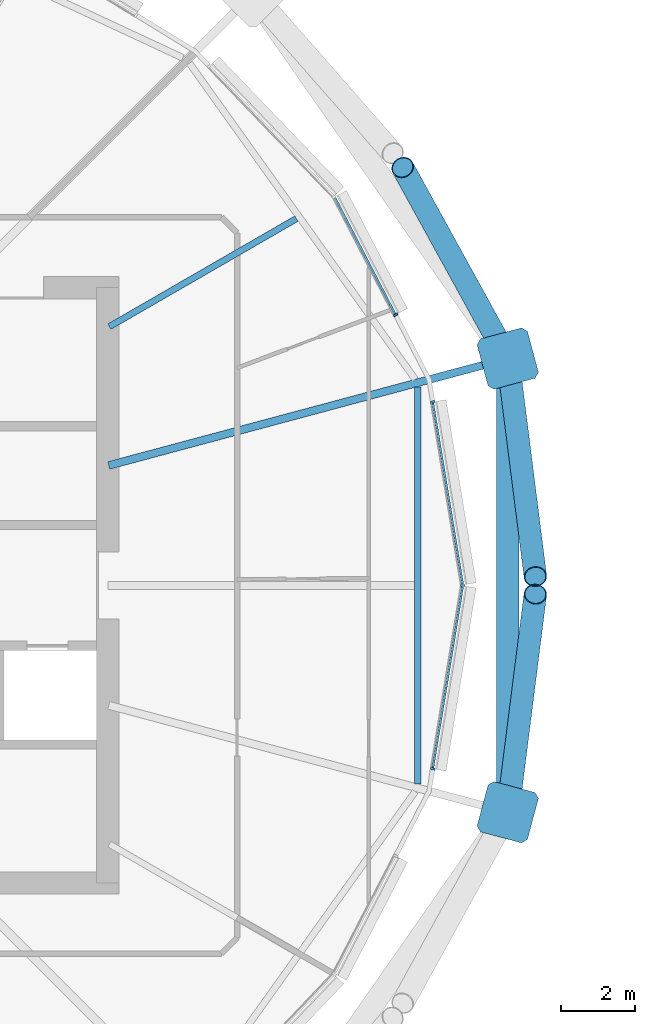
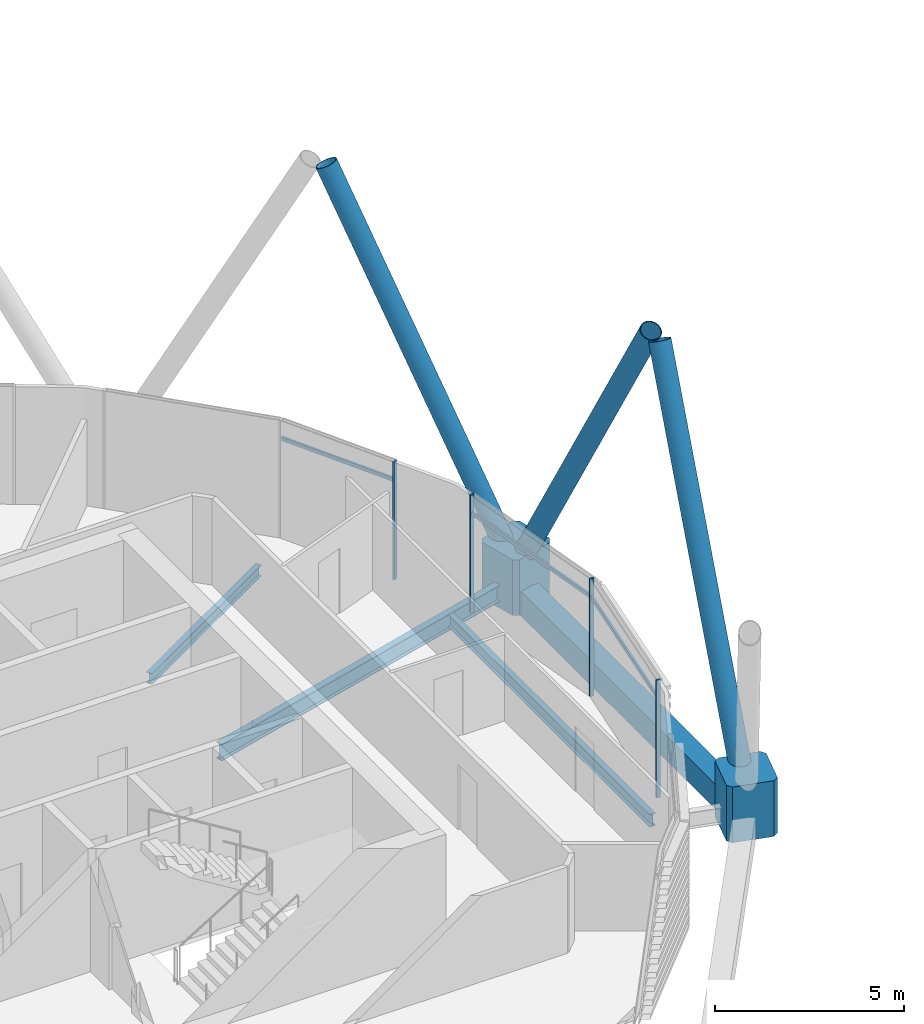
# One storey, part 8 of 36: 12 members, 4 beams, 1 element without a shape of its own.
"""IFC4 building model written with IfcOpenShell, lengths in metres."""

from ifc_helpers import new_model, si_unit, direction, frame, origin, origin_2d, place, context, subcontext, project, spatial, polyline, rectangle, hollow_rectangle, hollow_circle, i_section, outline, extrude, material, material_profile, profile_set, type_object, element, aggregate, save


model = new_model("IFC4")

# Units and contexts
model_context = context("Model", 3, precision=1e-05, world=origin(), true_north=direction((0.0, 1.0)))
body_context = subcontext(model_context, "Body", "Model", "MODEL_VIEW")
ifc_project = project(units=[si_unit("LENGTHUNIT", "METRE"), si_unit("AREAUNIT", "SQUARE_METRE"), si_unit("VOLUMEUNIT", "CUBIC_METRE"), si_unit("PLANEANGLEUNIT", "RADIAN"), si_unit("MASSUNIT", "GRAM", prefix="KILO")], contexts=[model_context])

# Site, building, storey
site_placement = place(None, origin())
site = spatial("IfcSite", under=ifc_project, at=site_placement, CompositionType="ELEMENT")
building_placement = place(site_placement, origin())
building = spatial("IfcBuilding", under=site, at=building_placement, Name="Rimbun Link Towers", CompositionType="ELEMENT")
storey_placement = place(building_placement, frame((0.0, 0.0, 193.10009765625)))
storey = spatial("IfcBuildingStorey", under=building, at=storey_placement, Name="L47", CompositionType="ELEMENT", Elevation=193.10009765625)

# Curtain wall, members
ifc_material_1 = material(Name="Aluminium 6063-T6 and low-iron glass", Category="aluminium")
curtain_wall_type = type_object("IfcCurtainWallType", Name="CW1-Z3 unitised vision wall (zone 3)", PredefinedType="NOTDEFINED", material=ifc_material_1)
curtain_wall_placement = place(storey_placement, origin())
curtain_wall = element("IfcCurtainWall", 1, at=curtain_wall_placement, inside=storey, type_object=curtain_wall_type, Name="CW1 L47 T1", PredefinedType="NOTDEFINED")
ifc_material_2 = material(Name="Aluminium 6063-T6", Category="aluminium")
ifc_material_profile_1 = material_profile(ifc_material_2, rectangle(XDim=0.1201171875, YDim=0.06005859375, at=origin_2d()), Name="MULLION 60X120")
ifc_profile_set_1 = profile_set([ifc_material_profile_1], Name="Aluminium 6063-T6")
member_type_1 = type_object("IfcMemberType", Name="CW1 mullion 60X120", PredefinedType="MULLION", material=ifc_profile_set_1)
member_1_placement = place(storey_placement, frame((-11.0166015625, 4.931396484375, 0.0), z_axis=(0.0, 0.0, 1.0), x_axis=(0.986749518868, 0.162251000037, 0.0)))
member_1 = element("IfcMember", 2, at=member_1_placement, type_object=member_type_1, Name="CW1 mullion", PredefinedType="MULLION", context=body_context, shape_type="SweptSolid", body=[
    extrude(rectangle(XDim=0.1201171875, YDim=0.06005859375, at=origin_2d()), origin(), (0.0, 0.0, 1.0), 3.7998046875),
])
member_2_placement = place(storey_placement, frame((-10.20654296875, 0.0, 0.0), z_axis=(0.0, 0.0, 1.0), x_axis=(1.0, 0.0, 0.0)))
member_2 = element("IfcMember", 3, at=member_2_placement, type_object=member_type_1, Name="CW1 mullion", PredefinedType="MULLION", context=body_context, shape_type="SweptSolid", body=[
    extrude(rectangle(XDim=0.1201171875, YDim=0.06005859375, at=origin_2d()), origin(), (0.0, 0.0, 1.0), 3.7998046875),
])
member_3_placement = place(storey_placement, frame((-12.015869140625, 7.27294921875, 0.0), z_axis=(0.0, 0.0, 1.0), x_axis=(0.888144973035, 0.459563387219, 0.0)))
member_3 = element("IfcMember", 4, at=member_3_placement, type_object=member_type_1, Name="CW1 mullion", PredefinedType="MULLION", context=body_context, shape_type="SweptSolid", body=[
    extrude(rectangle(XDim=0.1201171875, YDim=0.06005859375, at=origin_2d()), origin(), (0.0, 0.0, 1.0), 3.7998046875),
])
member_4_placement = place(storey_placement, frame((-11.0166015625, -4.931396484375, 0.0), z_axis=(0.0, 0.0, 1.0), x_axis=(0.986749518868, -0.162251000037, 0.0)))
member_4 = element("IfcMember", 5, at=member_4_placement, type_object=member_type_1, Name="CW1 mullion", PredefinedType="MULLION", context=body_context, shape_type="SweptSolid", body=[
    extrude(rectangle(XDim=0.1201171875, YDim=0.06005859375, at=origin_2d()), origin(), (0.0, 0.0, 1.0), 3.7998046875),
])
ifc_material_3 = material(Name="Aluminium 6063-T6", Category="aluminium")
ifc_material_profile_2 = material_profile(ifc_material_3, rectangle(XDim=0.06005859375, YDim=0.1201171875, at=origin_2d()), Name="TRANSOM 60X120")
ifc_profile_set_2 = profile_set([ifc_material_profile_2], Name="Aluminium 6063-T6")
member_type_2 = type_object("IfcMemberType", Name="CW1 transom 60X120", PredefinedType="USERDEFINED", material=ifc_profile_set_2)
member_5_placement = place(storey_placement, frame((-11.013671875, 4.9013671875, 3.199951171875), z_axis=(0.162261450417, -0.986747800458, 0.0), x_axis=(0.986747800458, 0.162261450417, 0.0)))
member_5 = element("IfcMember", 6, at=member_5_placement, type_object=member_type_2, Name="CW1 transom", ObjectType="TRANSOM", PredefinedType="USERDEFINED", context=body_context, shape_type="SweptSolid", body=[
    extrude(rectangle(XDim=0.06005859375, YDim=0.1201171875, at=origin_2d()), origin(), (0.0, 0.0, 1.0), 4.927490234375),
])
member_6_placement = place(storey_placement, frame((-13.644287109375, 10.41552734375, 3.199951171875), z_axis=(0.45958189222, -0.888135397529, 0.0), x_axis=(0.888135397529, 0.45958189222, 0.0)))
member_6 = element("IfcMember", 7, at=member_6_placement, type_object=member_type_2, Name="CW1 transom", ObjectType="TRANSOM", PredefinedType="USERDEFINED", context=body_context, shape_type="SweptSolid", body=[
    extrude(rectangle(XDim=0.06005859375, YDim=0.1201171875, at=origin_2d()), origin(), (0.0, 0.0, 1.0), 3.50927734375),
])
member_7_placement = place(storey_placement, frame((-10.214111328125, -0.0390625, 3.199951171875), z_axis=(-0.162261450417, -0.986747800458, 0.0), x_axis=(0.986747800458, -0.162261450417, 0.0)))
member_7 = element("IfcMember", 8, at=member_7_placement, type_object=member_type_2, Name="CW1 transom", ObjectType="TRANSOM", PredefinedType="USERDEFINED", context=body_context, shape_type="SweptSolid", body=[
    extrude(rectangle(XDim=0.06005859375, YDim=0.1201171875, at=origin_2d()), origin(), (0.0, 0.0, 1.0), 4.927490234375),
])
aggregate(curtain_wall, [member_1, member_2, member_3, member_4, member_5, member_6, member_7])

# Members
ifc_material_4 = material(Name="Steel S355J2H", Category="steel")
ifc_material_profile_3 = material_profile(ifc_material_4, hollow_circle(Radius=0.3046875, WallThickness=0.02490234375, at=origin_2d()), Name="Diagrid diagonal CHS 610x25")
ifc_profile_set_3 = profile_set([ifc_material_profile_3], Name="Steel S355J2H")
member_type_3 = type_object("IfcMemberType", Name="Diagrid diagonal CHS 610x25", PredefinedType="BRACE", material=ifc_profile_set_3)
member_8_placement = place(storey_placement, frame((-8.969970703125, 5.860595703125, 0.43994140625), z_axis=(0.059571610393, -0.470709696525, 0.880274732588), x_axis=(0.99208659593, 0.125555510339, 0.0)))
element("IfcMember", 9, at=member_8_placement, inside=storey, type_object=member_type_3, Name="Diagrid diagonal T1 L47-L50 01a", PredefinedType="BRACE", context=body_context, shape_type="SweptSolid", body=[
    extrude(hollow_circle(Radius=0.3046875, WallThickness=0.02490234375, at=origin_2d()), origin(), (0.0, 0.0, 1.0), 11.950439453125),
])
member_9_placement = place(storey_placement, frame((-9.113525390625, 6.302490234375, 0.44091796875), z_axis=(-0.227336281794, 0.413225190703, 0.881795416607), x_axis=(-0.876160010299, -0.48202036923, 0.0)))
element("IfcMember", 10, at=member_9_placement, inside=storey, type_object=member_type_3, Name="Diagrid diagonal T1 L47-L50 01b", PredefinedType="BRACE", context=body_context, shape_type="SweptSolid", body=[
    extrude(hollow_circle(Radius=0.3046875, WallThickness=0.02490234375, at=origin_2d()), origin(), (0.0, 0.0, 1.0), 11.927978515625),
])
member_10_placement = place(storey_placement, frame((-8.969970703125, -5.860595703125, 0.43994140625), z_axis=(0.059571610393, 0.470709696525, 0.880274732588), x_axis=(-0.99208659593, 0.125555510339, 0.0)))
element("IfcMember", 11, at=member_10_placement, inside=storey, type_object=member_type_3, Name="Diagrid diagonal T1 L47-L50 23b", PredefinedType="BRACE", context=body_context, shape_type="SweptSolid", body=[
    extrude(hollow_circle(Radius=0.3046875, WallThickness=0.02490234375, at=origin_2d()), origin(), (0.0, 0.0, 1.0), 11.950439453125),
])
ifc_material_5 = material(Name="Cast steel G20Mn5+QT, Rp0.2 300 MPa", Category="steel")
ifc_material_profile_4 = material_profile(ifc_material_5, outline(polyline([(0.699951171875, -0.570068359375), (0.699951171875, 0.570068359375), (0.570068359375, 0.699951171875), (-0.570068359375, 0.699951171875), (-0.699951171875, 0.570068359375), (-0.699951171875, -0.570068359375), (-0.570068359375, -0.699951171875), (0.570068359375, -0.699951171875), (0.699951171875, -0.570068359375)])), Name="NODE 1400x1400")
ifc_profile_set_4 = profile_set([ifc_material_profile_4], Name="Cast steel G20Mn5+QT, Rp0.2 300 MPa")
member_type_4 = type_object("IfcMemberType", Name="Diagrid node cast 1400", PredefinedType="USERDEFINED", material=ifc_profile_set_4)
for number, where, z_axis, x_axis, name in (
    (12, (-8.999755859375, 6.095947265625, -0.900146484375), (0.0, 0.0, 1.0), (0.965925826289, 0.258819045103, 0.0), "Diagrid node L47 01"),
    (13, (-8.999755859375, -6.095947265625, -0.900146484375), (0.0, 0.0, 1.0), (0.965925826289, -0.258819045103, 0.0), "Diagrid node L47 23"),
):
    element("IfcMember", number, at=place(storey_placement, frame(where, z_axis=z_axis, x_axis=x_axis)), inside=storey, type_object=member_type_4, Name=name, ObjectType="Diagrid node", PredefinedType="USERDEFINED", context=body_context, shape_type="SweptSolid", body=[
        extrude(outline(polyline([(0.699951171875, -0.570068359375), (0.699951171875, 0.570068359375), (0.570068359375, 0.699951171875), (-0.570068359375, 0.699951171875), (-0.699951171875, 0.570068359375), (-0.699951171875, -0.570068359375), (-0.570068359375, -0.699951171875), (0.570068359375, -0.699951171875), (0.699951171875, -0.570068359375)])), origin(), (0.0, 0.0, 1.0), 1.800048828125),
    ])

# Beams
ifc_material_6 = material(Name="Steel S355J2", Category="steel")
ifc_material_profile_5 = material_profile(ifc_material_6, hollow_rectangle(XDim=0.60009765625, YDim=0.800048828125, WallThickness=0.0400390625, at=origin_2d()), Name="Exoskeleton ring girder BOX 600x800x40")
ifc_profile_set_5 = profile_set([ifc_material_profile_5], Name="Steel S355J2")
beam_type_1 = type_object("IfcBeamType", Name="Exoskeleton ring girder BOX 600x800x40", PredefinedType="BEAM", material=ifc_profile_set_5)
beam_1_placement = place(storey_placement, frame((-8.999755859375, -5.39599609375, -0.56005859375), z_axis=(0.0, 1.0, 0.0), x_axis=(-1.0, 0.0, 0.0)))
element("IfcBeam", 14, at=beam_1_placement, inside=storey, type_object=beam_type_1, Name="Exoskeleton ring girder L47 09", PredefinedType="BEAM", context=body_context, shape_type="SweptSolid", body=[
    extrude(hollow_rectangle(XDim=0.60009765625, YDim=0.800048828125, WallThickness=0.0400390625, at=origin_2d()), origin(), (0.0, 0.0, 1.0), 10.7919921875),
])
ifc_material_7 = material(Name="Steel S355J2", Category="steel")
ifc_material_profile_6 = material_profile(ifc_material_7, i_section(OverallWidth=0.17138671875, OverallDepth=0.35498046875, WebThickness=0.00732421875, FlangeThickness=0.011474609375, at=origin_2d()), Name="UB 356x171x51")
ifc_profile_set_6 = profile_set([ifc_material_profile_6], Name="Steel S355J2")
beam_type_2 = type_object("IfcBeamType", Name="UB 356x171x51", PredefinedType="BEAM", material=ifc_profile_set_6)
beam_2_placement = place(storey_placement, frame((-19.706298828125, 6.95361328125, -0.32763671875), z_axis=(0.866028645513, 0.499994385119, 0.0), x_axis=(-0.499994385119, 0.866028645513, 0.0)))
element("IfcBeam", 15, at=beam_2_placement, inside=storey, type_object=beam_type_2, Name="Radial beam T1 L47 02", PredefinedType="BEAM", context=body_context, shape_type="SweptSolid", body=[
    extrude(i_section(OverallWidth=0.17138671875, OverallDepth=0.35498046875, WebThickness=0.00732421875, FlangeThickness=0.011474609375, at=origin_2d()), origin(), (0.0, 0.0, 1.0), 5.802734375),
])
ifc_material_8 = material(Name="Steel S355J2", Category="steel")
ifc_material_profile_7 = material_profile(ifc_material_8, i_section(OverallWidth=0.177978515625, OverallDepth=0.406494140625, WebThickness=0.0078125, FlangeThickness=0.0126953125, at=origin_2d()), Name="UB 406x178x60")
ifc_profile_set_7 = profile_set([ifc_material_profile_7], Name="Steel S355J2")
beam_type_3 = type_object("IfcBeamType", Name="UB 406x178x60", PredefinedType="BEAM", material=ifc_profile_set_7)
beam_3_placement = place(storey_placement, frame((-11.42041015625, -5.337890625, -0.353271484375), z_axis=(0.0, 1.0, 0.0), x_axis=(-1.0, 0.0, 0.0)))
element("IfcBeam", 16, at=beam_3_placement, inside=storey, type_object=beam_type_3, Name="Edge beam T1 L47 23-01", PredefinedType="BEAM", context=body_context, shape_type="SweptSolid", body=[
    extrude(i_section(OverallWidth=0.177978515625, OverallDepth=0.406494140625, WebThickness=0.0078125, FlangeThickness=0.0126953125, at=origin_2d()), origin(), (0.0, 0.0, 1.0), 10.67578125),
])
ifc_material_9 = material(Name="Steel S355J2", Category="steel")
ifc_material_profile_8 = material_profile(ifc_material_9, i_section(OverallWidth=0.209228515625, OverallDepth=0.533203125, WebThickness=0.010009765625, FlangeThickness=0.015625, at=origin_2d()), Name="UB 533x210x92")
ifc_profile_set_8 = profile_set([ifc_material_profile_8], Name="Steel S355J2")
beam_type_4 = type_object("IfcBeamType", Name="UB 533x210x92", PredefinedType="BEAM", material=ifc_profile_set_8)
beam_4_placement = place(storey_placement, frame((-19.721923828125, 3.222900390625, -0.416748046875), z_axis=(0.965923069242, 0.258829334322, 0.0), x_axis=(-0.258829334322, 0.965923069242, 0.0)))
element("IfcBeam", 17, at=beam_4_placement, inside=storey, type_object=beam_type_4, Name="Radial beam T1 L47 01", PredefinedType="BEAM", context=body_context, shape_type="SweptSolid", body=[
    extrude(i_section(OverallWidth=0.209228515625, OverallDepth=0.533203125, WebThickness=0.010009765625, FlangeThickness=0.015625, at=origin_2d()), origin(), (0.0, 0.0, 1.0), 10.600341796875),
])

save(model, "model.ifc")
